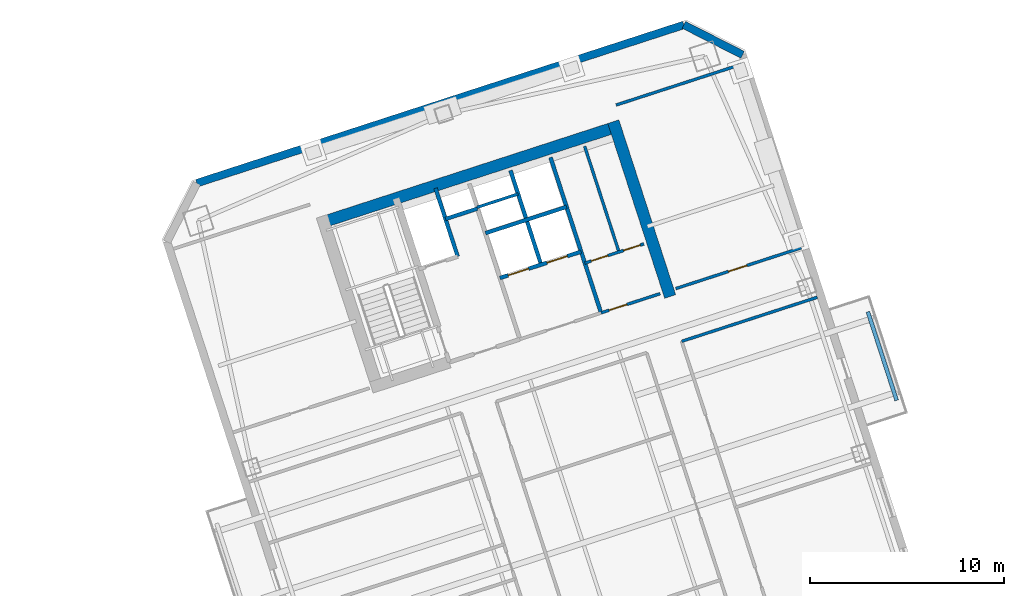
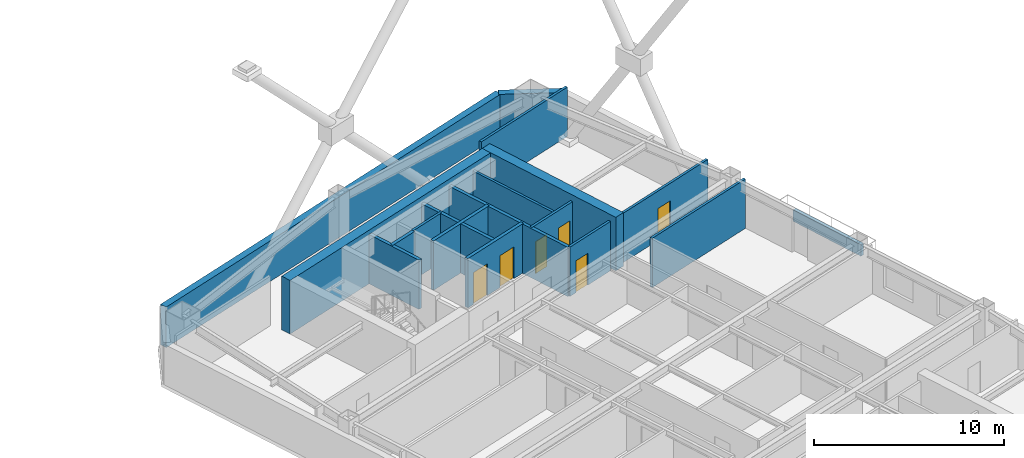
# One storey, part 11 of 17: 18 walls, 6 doors, 6 openings.
"""IFC4 building model written with IfcOpenShell, lengths in metres."""

from ifc_helpers import new_model, si_unit, direction, frame, frame_2d, origin, place, context, subcontext, project, spatial, rectangle, extrude, material, layer, layer_set, type_object, element, fill, save


model = new_model("IFC4")

# Units and contexts
model_context = context("Model", 3, precision=1e-05, world=origin(), true_north=direction((0.0, 1.0)))
body_context = subcontext(model_context, "Body", "Model", "MODEL_VIEW")
ifc_project = project(units=[si_unit("LENGTHUNIT", "METRE"), si_unit("AREAUNIT", "SQUARE_METRE"), si_unit("VOLUMEUNIT", "CUBIC_METRE"), si_unit("PLANEANGLEUNIT", "RADIAN"), si_unit("MASSUNIT", "GRAM", prefix="KILO")], contexts=[model_context])

# Site, building, storey
site_placement = place(None, origin())
site = spatial("IfcSite", under=ifc_project, at=site_placement, CompositionType="ELEMENT")
building_placement = place(site_placement, origin())
building = spatial("IfcBuilding", under=site, at=building_placement, Name="Qiaolan Cultural Towers", CompositionType="ELEMENT")
storey_placement = place(building_placement, frame((0.0, 0.0, 177.10009765625)))
storey = spatial("IfcBuildingStorey", under=building, at=storey_placement, Name="L47", CompositionType="ELEMENT", Elevation=177.10009765625)

# Walls
ifc_material_1 = material(Name="Concrete C55", Category="concrete")
ifc_layer_1 = layer(ifc_material_1, 0.60009765625)
ifc_layer_set_1 = layer_set([ifc_layer_1], Name="Concrete C55")
wall_type_1 = type_object("IfcWallType", Name="WL-CORE-600", PredefinedType="SHEAR", material=ifc_layer_set_1)
wall_1_placement = place(storey_placement, frame((76.343505859375, 50.4658203125, 0.0), z_axis=(0.0, 0.0, 1.0), x_axis=(0.951055727519, 0.309019421968, 0.0)))
element("IfcWall", 1, at=wall_1_placement, inside=storey, type_object=wall_type_1, Name="L47 T2-CN Outer Core Shear Wall", PredefinedType="SHEAR", context=body_context, shape_type="SweptSolid", body=[
    extrude(rectangle(XDim=16.39990234375, YDim=0.60009765625, at=frame_2d((8.199951171875, 0.0))), origin(), (0.0, 0.0, 1.0), 3.449951171875),
])
wall_2_placement = place(storey_placement, frame((94.4921875, 46.710205078125, 0.0), z_axis=(0.0, 0.0, 1.0), x_axis=(-0.309010370028, 0.95105866865, 0.0)))
element("IfcWall", 2, at=wall_2_placement, inside=storey, type_object=wall_type_1, Name="L47 T2-CN East Core Shear Wall", PredefinedType="SHEAR", context=body_context, shape_type="SweptSolid", body=[
    extrude(rectangle(XDim=9.47998046875, YDim=0.60009765625, at=frame_2d((4.739990234375, 0.0))), origin(), (0.0, 0.0, 1.0), 3.449951171875),
])
ifc_material_2 = material(Name="Precast Concrete C50 Honed Stone Pier", Category="masonry")
ifc_layer_2 = layer(ifc_material_2, 0.39990234375)
ifc_layer_set_2 = layer_set([ifc_layer_2], Name="Precast Concrete C50 Honed Stone Pier")
wall_type_2 = type_object("IfcWallType", Name="WL-EXT-PIER-400", PredefinedType="SOLIDWALL", material=ifc_layer_set_2)
wall_3_placement = place(storey_placement, frame((70.091552734375, 52.55615234375, 0.0), z_axis=(0.0, 0.0, 1.0), x_axis=(0.951057580055, 0.30901372044, 0.0)))
element("IfcWall", 3, at=wall_3_placement, inside=storey, type_object=wall_type_2, Name="L47 East Tower Precast Pier Facade Wall F3", PredefinedType="SOLIDWALL", context=body_context, shape_type="SweptSolid", body=[
    extrude(rectangle(XDim=26.39990234375, YDim=0.39990234375, at=frame_2d((13.199951171875, 0.0))), origin(), (0.0, 0.0, 1.0), 2.60986328125),
])
wall_4_placement = place(storey_placement, frame((95.199462890625, 60.714111328125, 0.0), z_axis=(0.0, 0.0, 1.0), x_axis=(0.891020832027, -0.453962417932, 0.0)))
element("IfcWall", 4, at=wall_4_placement, inside=storey, type_object=wall_type_2, Name="L47 East Tower Precast Pier Facade Wall F4", PredefinedType="SOLIDWALL", context=body_context, shape_type="SweptSolid", body=[
    extrude(rectangle(XDim=3.39404296875, YDim=0.39990234375, at=frame_2d((1.697021484375, 0.0))), origin(), (0.0, 0.0, 1.0), 2.60986328125),
])
ifc_material_3 = material(Name="Concrete C35 Fire Wall", Category="concrete")
ifc_layer_3 = layer(ifc_material_3, 0.199951171875)
ifc_layer_set_3 = layer_set([ifc_layer_3], Name="Concrete C35 Fire Wall")
wall_type_3 = type_object("IfcWallType", Name="WL-FIRE-200", PredefinedType="PARTITIONING", material=ifc_layer_set_3)
wall_5_placement = place(storey_placement, frame((83.53759765625, 48.776123046875, 0.0), z_axis=(0.0, 0.0, 1.0), x_axis=(-0.3089935693, 0.951064127245, 0.0)))
element("IfcWall", 5, at=wall_5_placement, inside=storey, type_object=wall_type_3, Name="L47 T2-CN Firefighting Hoistway East Wall", PredefinedType="PARTITIONING", context=body_context, shape_type="SweptSolid", body=[
    extrude(rectangle(XDim=3.7001953125, YDim=0.199951171875, at=frame_2d((1.85009765625, 0.0))), origin(), (0.0, 0.0, 1.0), 3.1748046875),
])
wall_6_placement = place(storey_placement, frame((82.910400390625, 50.706787109375, 0.0), z_axis=(0.0, 0.0, 1.0), x_axis=(0.951041328149, 0.309063734775, 0.0)))
element("IfcWall", 6, at=wall_6_placement, inside=storey, type_object=wall_type_3, Name="L47 T2-CN Pressurization Shaft Front Wall", PredefinedType="PARTITIONING", context=body_context, shape_type="SweptSolid", body=[
    extrude(rectangle(XDim=1.72998046875, YDim=0.199951171875, at=frame_2d((0.864990234375, 0.0))), origin(), (0.0, 0.0, 1.0), 3.1748046875),
])
wall_7_placement = place(storey_placement, frame((90.92822265625, 45.86767578125, 0.0), z_axis=(0.0, 0.0, 1.0), x_axis=(-0.309042196757, 0.951048327176, 0.0)))
element("IfcWall", 7, at=wall_7_placement, inside=storey, type_object=wall_type_3, Name="L47 T2-CN Lift Core East Wall", PredefinedType="PARTITIONING", context=body_context, shape_type="SweptSolid", body=[
    extrude(rectangle(XDim=8.429931640625, YDim=0.199951171875, at=frame_2d((4.21484375, 0.0))), origin(), (0.0, 0.0, 1.0), 3.1748046875),
])

# Wall, openings, doors
wall_8_placement = place(storey_placement, frame((85.717529296875, 47.66552734375, 0.0), z_axis=(0.0, 0.0, 1.0), x_axis=(0.951058531764, 0.30901079133, 0.0)))
wall_8 = element("IfcWall", 8, at=wall_8_placement, inside=storey, type_object=wall_type_3, Name="L47 T2-CN Passenger Lift Shaft Front Wall", PredefinedType="PARTITIONING", context=body_context, shape_type="SweptSolid", body=[
    extrude(rectangle(XDim=4.39990234375, YDim=0.199951171875, at=frame_2d((2.199951171875, 0.0))), origin(), (0.0, 0.0, 1.0), 3.1748046875),
])
opening_1_placement = place(wall_8_placement, frame((0.449951171875, 0.0, 0.0)))
opening_1 = element("IfcOpeningElement", 9, at=opening_1_placement, cuts=wall_8, Name="Opening LD-01", PredefinedType="OPENING", context=body_context, shape_type="SweptSolid", body=[
    extrude(rectangle(XDim=1.10009765625, YDim=2.050048828125, at=frame_2d((0.550048828125, 1.02490234375))), frame((0.0, 0.10986328125, 0.0), z_axis=(0.0, -1.0, 0.0), x_axis=(1.0, 0.0, 0.0)), (0.0, 0.0, 1.0), 0.219970703125),
])
opening_2_placement = place(wall_8_placement, frame((2.550048828125, 0.0, 0.0)))
opening_2 = element("IfcOpeningElement", 10, at=opening_2_placement, cuts=wall_8, Name="Opening LD-01", PredefinedType="OPENING", context=body_context, shape_type="SweptSolid", body=[
    extrude(rectangle(XDim=1.10009765625, YDim=2.050048828125, at=frame_2d((0.550048828125, 1.02490234375))), frame((0.0, 0.10986328125, 0.0), z_axis=(0.0, -1.0, 0.0), x_axis=(1.0, 0.0, 0.0)), (0.0, 0.0, 1.0), 0.219970703125),
])
ifc_material_4 = material(Name="Brushed Stainless Steel S30408 Centre-Parting Lift Landing Door", Category="steel")
door_type_1 = type_object("IfcDoorType", Name="DR-LIFT-1100", OperationType="NOTDEFINED", PredefinedType="DOOR", material=ifc_material_4)
door_1_placement = place(opening_1_placement, origin())
door_1 = element("IfcDoor", 11, at=door_1_placement, inside=storey, type_object=door_type_1, Name="L47 Passenger Lift 1 Landing Door", OperationType="DOUBLE_DOOR_SLIDING", OverallHeight=2.050048828125, OverallWidth=1.10009765625, PredefinedType="DOOR", context=body_context, shape_type="SweptSolid", body=[
    extrude(rectangle(XDim=1.10009765625, YDim=2.050048828125, at=frame_2d((0.550048828125, 1.02490234375))), frame((0.0, 0.02490234375, 0.0), z_axis=(0.0, -1.0, 0.0), x_axis=(1.0, 0.0, 0.0)), (0.0, 0.0, 1.0), 0.050048828125),
])
fill(opening_1, door_1)
door_2_placement = place(opening_2_placement, origin())
door_2 = element("IfcDoor", 12, at=door_2_placement, inside=storey, type_object=door_type_1, Name="L47 Passenger Lift 2 Landing Door", OperationType="DOUBLE_DOOR_SLIDING", OverallHeight=2.050048828125, OverallWidth=1.10009765625, PredefinedType="DOOR", context=body_context, shape_type="SweptSolid", body=[
    extrude(rectangle(XDim=1.10009765625, YDim=2.050048828125, at=frame_2d((0.550048828125, 1.02490234375))), frame((0.0, 0.02490234375, 0.0), z_axis=(0.0, -1.0, 0.0), x_axis=(1.0, 0.0, 0.0)), (0.0, 0.0, 1.0), 0.050048828125),
])
fill(opening_2, door_2)

# Walls
wall_9_placement = place(storey_placement, frame((87.83837890625, 48.3544921875, 0.0), z_axis=(0.0, 0.0, 1.0), x_axis=(-0.3090093719, 0.951058992953, 0.0)))
element("IfcWall", 13, at=wall_9_placement, inside=storey, type_object=wall_type_3, Name="L47 T2-CN Lift Shaft Divider Wall", PredefinedType="PARTITIONING", context=body_context, shape_type="SweptSolid", body=[
    extrude(rectangle(XDim=5.110107421875, YDim=0.199951171875, at=frame_2d((2.55517578125, 0.0))), origin(), (0.0, 0.0, 1.0), 3.1748046875),
])
wall_10_placement = place(storey_placement, frame((84.966552734375, 49.9765625, 0.0), z_axis=(0.0, 0.0, 1.0), x_axis=(0.951063829732, 0.308994485023, 0.0)))
element("IfcWall", 14, at=wall_10_placement, inside=storey, type_object=wall_type_3, Name="L47 T2-CN Passenger Lift Shaft Back Wall", PredefinedType="PARTITIONING", context=body_context, shape_type="SweptSolid", body=[
    extrude(rectangle(XDim=4.400146484375, YDim=0.199951171875, at=frame_2d((2.2001953125, 0.0))), origin(), (0.0, 0.0, 1.0), 3.1748046875),
])
ifc_material_5 = material(Name="Autoclaved Aerated Concrete Block B06", Category="concrete")
ifc_layer_4 = layer(ifc_material_5, 0.14990234375)
ifc_layer_set_4 = layer_set([ifc_layer_4], Name="Autoclaved Aerated Concrete Block B06")
wall_type_4 = type_object("IfcWallType", Name="WL-PART-150", PredefinedType="PARTITIONING", material=ifc_layer_set_4)
wall_11_placement = place(storey_placement, frame((84.533935546875, 51.30810546875, 0.0), z_axis=(0.0, 0.0, 1.0), x_axis=(0.951075093106, 0.308959814982, 0.0)))
element("IfcWall", 15, at=wall_11_placement, inside=storey, type_object=wall_type_4, Name="L47 T2-CN Core Rear Riser Split", PredefinedType="PARTITIONING", context=body_context, shape_type="SweptSolid", body=[
    extrude(rectangle(XDim=2.22998046875, YDim=0.14990234375, at=frame_2d((1.114990234375, 0.0))), origin(), (0.0, 0.0, 1.0), 3.1748046875),
])

# Wall, opening, door
wall_12_placement = place(storey_placement, frame((90.92822265625, 45.86767578125, 0.0), z_axis=(0.0, 0.0, 1.0), x_axis=(0.951059297078, 0.309008435874, 0.0)))
wall_12 = element("IfcWall", 16, at=wall_12_placement, inside=storey, type_object=wall_type_4, Name="L47 T2-CN Sanitary Core Front Wall", PredefinedType="PARTITIONING", context=body_context, shape_type="SweptSolid", body=[
    extrude(rectangle(XDim=3.19970703125, YDim=0.14990234375, at=frame_2d((1.599853515625, 0.0))), origin(), (0.0, 0.0, 1.0), 3.1748046875),
])
opening_3_placement = place(wall_12_placement, frame((0.449951171875, 0.0, 0.0)))
opening_3 = element("IfcOpeningElement", 17, at=opening_3_placement, cuts=wall_12, Name="Opening ID-05", PredefinedType="OPENING", context=body_context, shape_type="SweptSolid", body=[
    extrude(rectangle(XDim=0.949951171875, YDim=2.050048828125, at=frame_2d((0.47509765625, 1.02490234375))), frame((0.0, 0.0849609375, 0.0), z_axis=(0.0, -1.0, 0.0), x_axis=(1.0, 0.0, 0.0)), (0.0, 0.0, 1.0), 0.169921875),
])
ifc_material_6 = material(Name="Fire-Rated Laminate Accessible Core Door", Category="timber")
door_type_2 = type_object("IfcDoorType", Name="DR-INT-950", OperationType="NOTDEFINED", PredefinedType="DOOR", material=ifc_material_6)
door_3_placement = place(opening_3_placement, origin())
door_3 = element("IfcDoor", 18, at=door_3_placement, inside=storey, type_object=door_type_2, Name="L47 Sanitary Vestibule Door", OperationType="SINGLE_SWING_LEFT", OverallHeight=2.050048828125, OverallWidth=0.949951171875, PredefinedType="DOOR", context=body_context, shape_type="SweptSolid", body=[
    extrude(rectangle(XDim=0.949951171875, YDim=2.050048828125, at=frame_2d((0.47509765625, 1.02490234375))), frame((0.0, 0.02490234375, 0.0), z_axis=(0.0, -1.0, 0.0), x_axis=(1.0, 0.0, 0.0)), (0.0, 0.0, 1.0), 0.050048828125),
])
fill(opening_3, door_3)

# Wall, openings, doors
wall_13_placement = place(storey_placement, frame((90.09375, 48.435546875, 0.0), z_axis=(0.0, 0.0, 1.0), x_axis=(0.951066581729, 0.308986014439, 0.0)))
wall_13 = element("IfcWall", 19, at=wall_13_placement, inside=storey, type_object=wall_type_4, Name="L47 T2-CN Restroom Vestibule Wall", PredefinedType="PARTITIONING", context=body_context, shape_type="SweptSolid", body=[
    extrude(rectangle(XDim=3.199951171875, YDim=0.14990234375, at=frame_2d((1.60009765625, 0.0))), origin(), (0.0, 0.0, 1.0), 3.1748046875),
])
opening_4_placement = place(wall_13_placement, frame((0.35009765625, 0.0, 0.0)))
opening_4 = element("IfcOpeningElement", 20, at=opening_4_placement, cuts=wall_13, Name="Opening ID-06", PredefinedType="OPENING", context=body_context, shape_type="SweptSolid", body=[
    extrude(rectangle(XDim=0.89990234375, YDim=2.050048828125, at=frame_2d((0.449951171875, 1.02490234375))), frame((0.0, 0.0849609375, 0.0), z_axis=(0.0, -1.0, 0.0), x_axis=(1.0, 0.0, 0.0)), (0.0, 0.0, 1.0), 0.169921875),
])
opening_5_placement = place(wall_13_placement, frame((2.10009765625, 0.0, 0.0)))
opening_5 = element("IfcOpeningElement", 21, at=opening_5_placement, cuts=wall_13, Name="Opening ID-06", PredefinedType="OPENING", context=body_context, shape_type="SweptSolid", body=[
    extrude(rectangle(XDim=0.89990234375, YDim=2.050048828125, at=frame_2d((0.449951171875, 1.02490234375))), frame((0.0, 0.0849609375, 0.0), z_axis=(0.0, -1.0, 0.0), x_axis=(1.0, 0.0, 0.0)), (0.0, 0.0, 1.0), 0.169921875),
])
ifc_material_7 = material(Name="Fire-Rated Laminate Core Service Door", Category="timber")
door_type_3 = type_object("IfcDoorType", Name="DR-INT-900", OperationType="NOTDEFINED", PredefinedType="DOOR", material=ifc_material_7)
door_4_placement = place(opening_4_placement, origin())
door_4 = element("IfcDoor", 22, at=door_4_placement, inside=storey, type_object=door_type_3, Name="L47 Men Restroom Door", OperationType="SINGLE_SWING_LEFT", OverallHeight=2.050048828125, OverallWidth=0.89990234375, PredefinedType="DOOR", context=body_context, shape_type="SweptSolid", body=[
    extrude(rectangle(XDim=0.89990234375, YDim=2.050048828125, at=frame_2d((0.449951171875, 1.02490234375))), frame((0.0, 0.02490234375, 0.0), z_axis=(0.0, -1.0, 0.0), x_axis=(1.0, 0.0, 0.0)), (0.0, 0.0, 1.0), 0.050048828125),
])
fill(opening_4, door_4)
door_5_placement = place(opening_5_placement, origin())
door_5 = element("IfcDoor", 23, at=door_5_placement, inside=storey, type_object=door_type_3, Name="L47 Accessible & Women Restroom Door", OperationType="SINGLE_SWING_RIGHT", OverallHeight=2.050048828125, OverallWidth=0.89990234375, PredefinedType="DOOR", context=body_context, shape_type="SweptSolid", body=[
    extrude(rectangle(XDim=0.89990234375, YDim=2.050048828125, at=frame_2d((0.449951171875, 1.02490234375))), frame((0.0, 0.02490234375, 0.0), z_axis=(0.0, -1.0, 0.0), x_axis=(1.0, 0.0, 0.0)), (0.0, 0.0, 1.0), 0.050048828125),
])
fill(opening_5, door_5)

# Walls
wall_14_placement = place(storey_placement, frame((91.853271484375, 49.007080078125, 0.0), z_axis=(0.0, 0.0, 1.0), x_axis=(-0.309022487551, 0.951054731437, 0.0)))
element("IfcWall", 24, at=wall_14_placement, inside=storey, type_object=wall_type_4, Name="L47 T2-CN Restroom Divider Wall", PredefinedType="PARTITIONING", context=body_context, shape_type="SweptSolid", body=[
    extrude(rectangle(XDim=5.730224609375, YDim=0.14990234375, at=frame_2d((2.865234375, 0.0))), origin(), (0.0, 0.0, 1.0), 3.1748046875),
])
wall_15_placement = place(storey_placement, frame((91.705078125, 56.582275390625, 0.0), z_axis=(0.0, 0.0, 1.0), x_axis=(0.951057811516, 0.309013008068, 0.0)))
element("IfcWall", 25, at=wall_15_placement, inside=storey, type_object=wall_type_4, Name="L47 T2 Flank Wall FLK-NE", PredefinedType="PARTITIONING", context=body_context, shape_type="SweptSolid", body=[
    extrude(rectangle(XDim=6.800048828125, YDim=0.14990234375, at=frame_2d((3.39990234375, 0.0))), origin(), (0.0, 0.0, 1.0), 3.1748046875),
])

# Wall, opening, door
wall_16_placement = place(storey_placement, frame((94.77978515625, 47.119140625, 0.0), z_axis=(0.0, 0.0, 1.0), x_axis=(0.951057811516, 0.309013008068, 0.0)))
wall_16 = element("IfcWall", 26, at=wall_16_placement, inside=storey, type_object=wall_type_4, Name="L47 T2 Flank Front FLK-NE", PredefinedType="PARTITIONING", context=body_context, shape_type="SweptSolid", body=[
    extrude(rectangle(XDim=6.800048828125, YDim=0.14990234375, at=frame_2d((3.39990234375, 0.0))), origin(), (0.0, 0.0, 1.0), 3.1748046875),
])
opening_6_placement = place(wall_16_placement, frame((2.85595703125, 0.0, 0.0)))
opening_6 = element("IfcOpeningElement", 27, at=opening_6_placement, cuts=wall_16, Name="Opening ID-04", PredefinedType="OPENING", context=body_context, shape_type="SweptSolid", body=[
    extrude(rectangle(XDim=1.0, YDim=2.050048828125, at=frame_2d((0.5, 1.02490234375))), frame((0.0, 0.0849609375, 0.0), z_axis=(0.0, -1.0, 0.0), x_axis=(1.0, 0.0, 0.0)), (0.0, 0.0, 1.0), 0.169921875),
])
ifc_material_8 = material(Name="Oak Veneer Acoustic Office Door", Category="timber")
door_type_4 = type_object("IfcDoorType", Name="DR-INT-1000", OperationType="NOTDEFINED", PredefinedType="DOOR", material=ifc_material_8)
door_6_placement = place(opening_6_placement, origin())
door_6 = element("IfcDoor", 28, at=door_6_placement, inside=storey, type_object=door_type_4, Name="L47 T2 Corner Studio Door", OperationType="SINGLE_SWING_LEFT", OverallHeight=2.050048828125, OverallWidth=1.0, PredefinedType="DOOR", context=body_context, shape_type="SweptSolid", body=[
    extrude(rectangle(XDim=1.0, YDim=2.050048828125, at=frame_2d((0.5, 1.02490234375))), frame((0.0, 0.02490234375, 0.0), z_axis=(0.0, -1.0, 0.0), x_axis=(1.0, 0.0, 0.0)), (0.0, 0.0, 1.0), 0.050048828125),
])
fill(opening_6, door_6)

# Walls
wall_17_placement = place(storey_placement, frame((95.0849609375, 44.400390625, 0.0), z_axis=(0.0, 0.0, 1.0), x_axis=(0.95105749975, 0.309013967595, 0.0)))
element("IfcWall", 29, at=wall_17_placement, inside=storey, type_object=wall_type_4, Name="L47 T2 Interior Wall", PredefinedType="PARTITIONING", context=body_context, shape_type="SweptSolid", body=[
    extrude(rectangle(XDim=7.349853515625, YDim=0.14990234375, at=frame_2d((3.6748046875, 0.0))), origin(), (0.0, 0.0, 1.0), 3.1748046875),
])
ifc_material_9 = material(Name="Precast Concrete C45 Tree Planter Upstand", Category="concrete")
ifc_layer_5 = layer(ifc_material_9, 0.199951171875)
ifc_layer_set_5 = layer_set([ifc_layer_5], Name="Precast Concrete C45 Tree Planter Upstand")
wall_type_5 = type_object("IfcWallType", Name="WL-PLANTER-200", PredefinedType="PARAPET", material=ifc_layer_set_5)
wall_18_placement = place(storey_placement, frame((106.168212890625, 41.356201171875, 0.0), z_axis=(0.0, 0.0, 1.0), x_axis=(-0.309032019345, 0.951051634255, 0.0)))
element("IfcWall", 30, at=wall_18_placement, inside=storey, type_object=wall_type_5, Name="L47 T2 Tree Balcony Soil Planter Box E", PredefinedType="PARAPET", context=body_context, shape_type="SweptSolid", body=[
    extrude(rectangle(XDim=4.800048828125, YDim=0.199951171875, at=frame_2d((2.39990234375, 0.0))), origin(), (0.0, 0.0, 1.0), 0.75),
])

save(model, "model.ifc")
